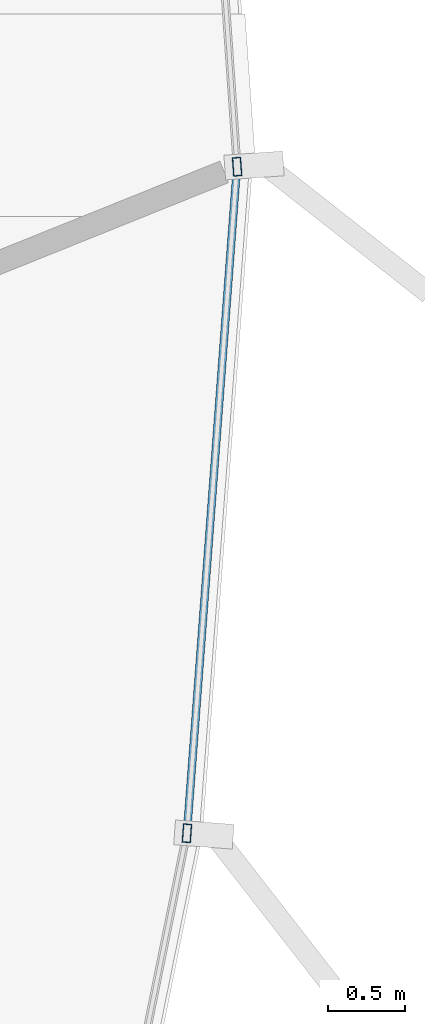
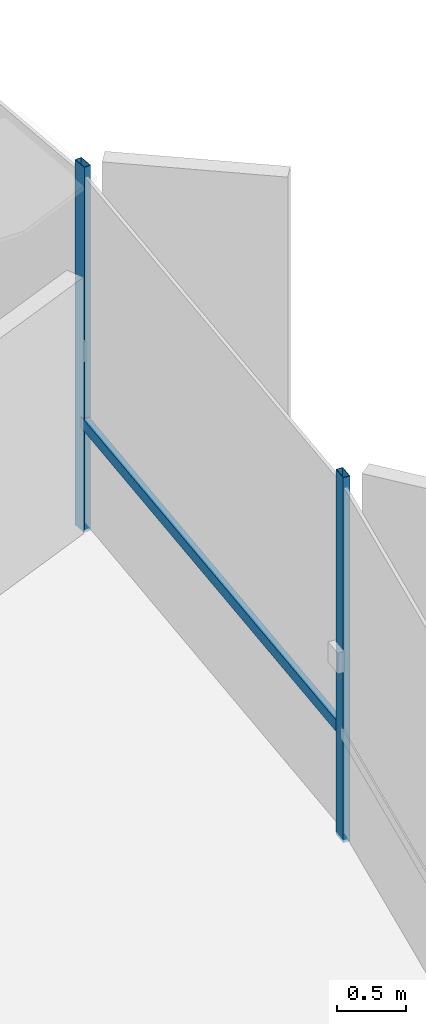
# One storey, part 18 of 35: 3 members, 1 element without a shape of its own.
"""IFC4 building model written with IfcOpenShell, lengths in metres."""

import ifcopenshell
import ifcopenshell.guid

model = None  # the IFC model being written
_history = None  # IfcOwnerHistory: only IFC2X3 demands one
_inside = {}  # id of a spatial element -> (the spatial element, [elements in it])
_under = {}  # id of a project, library or spatial element -> (it, [spatial elements below it])
_declared = {}  # id of a project -> (the project, [libraries it declares])
_typed = {}  # id of a type object -> (the type object, [elements of that type])
_made_of = {}  # id of a material, layer set ... -> (it, [elements and type objects made of it])


def new_model(schema):
    """Start an empty IFC model of exactly this schema.

    Asked for "IFC4X3", IfcOpenShell would pick the latest addendum, in which some entities
    have other attributes; the version numbers below select the first issue.
    IFC2X3 requires an IfcOwnerHistory on every rooted entity: one is made here for all.
    """
    global model, _history
    if schema == "IFC4X3":
        model = ifcopenshell.file(schema_version=(4, 3, 0, 0))
    else:
        model = ifcopenshell.file(schema=schema)
    _inside.clear()
    _under.clear()
    _declared.clear()
    _typed.clear()
    _made_of.clear()
    _history = None
    if model.schema == "IFC2X3":
        org = make("IfcOrganization", Name="unknown")
        user = make(
            "IfcPersonAndOrganization",
            ThePerson=make("IfcPerson", FamilyName="unknown"),
            TheOrganization=org,
        )
        app = make(
            "IfcApplication",
            ApplicationDeveloper=org,
            Version="unknown",
            ApplicationFullName="unknown",
            ApplicationIdentifier="unknown",
        )
        _history = make(
            "IfcOwnerHistory",
            OwningUser=user,
            OwningApplication=app,
            ChangeAction="ADDED",
            CreationDate=0,
        )
    return model


def make(cls, **values):
    """One entity of the class cls with the attributes given. An attribute that is None is left unset."""
    return model.create_entity(
        cls, **{name: value for name, value in values.items() if value is not None}
    )


def rooted(cls, **values):
    """An entity with a GlobalId (a new one), such as an element, a storey or a relation."""
    return make(cls, GlobalId=ifcopenshell.guid.new(), OwnerHistory=_history, **values)


def si_unit(unit_type, name, prefix=None):
    """IfcSIUnit, for example si_unit("LENGTHUNIT", "METRE", prefix="MILLI")."""
    return make("IfcSIUnit", UnitType=unit_type, Prefix=prefix, Name=name)


def assignment(units):
    """IfcUnitAssignment: the units of a project."""
    return None if units is None else make("IfcUnitAssignment", Units=units)


def point(xyz):
    """IfcCartesianPoint."""
    return None if xyz is None else make("IfcCartesianPoint", Coordinates=xyz)


def direction(xyz):
    """IfcDirection."""
    return None if xyz is None else make("IfcDirection", DirectionRatios=xyz)


def frame(location, z_axis=None, x_axis=None):
    """IfcAxis2Placement3D, a coordinate frame: its origin and axes. An axis left out is left unset."""
    return make(
        "IfcAxis2Placement3D",
        Location=point(location),
        Axis=direction(z_axis),
        RefDirection=direction(x_axis),
    )


def frame_2d(location, x_axis=None):
    """IfcAxis2Placement2D, a coordinate frame in the plane: its origin and x axis."""
    return make(
        "IfcAxis2Placement2D", Location=point(location), RefDirection=direction(x_axis)
    )


def origin():
    """The frame at (0, 0, 0) with its axes left unset."""
    return frame((0.0, 0.0, 0.0))


def origin_2d():
    """The frame at (0, 0) in the plane with its x axis left unset."""
    return frame_2d((0.0, 0.0))


def place(relative_to, where):
    """IfcLocalPlacement: puts the frame where relative to a parent placement (None: the world)."""
    return make(
        "IfcLocalPlacement", PlacementRelTo=relative_to, RelativePlacement=where
    )


def context(
    kind, dimensions, precision=None, world=None, true_north=None, identifier=None
):
    """IfcGeometricRepresentationContext, for example the 3D "Model" context."""
    return make(
        "IfcGeometricRepresentationContext",
        ContextIdentifier=identifier,
        ContextType=kind,
        CoordinateSpaceDimension=dimensions,
        Precision=precision,
        WorldCoordinateSystem=world,
        TrueNorth=true_north,
    )


def subcontext(parent, identifier, kind, view, scale=None):
    """IfcGeometricRepresentationSubContext, for example "Body" below "Model"."""
    return make(
        "IfcGeometricRepresentationSubContext",
        ContextIdentifier=identifier,
        ContextType=kind,
        ParentContext=parent,
        TargetScale=scale,
        TargetView=view,
    )


def project(units=None, contexts=None):
    """IfcProject with its units and contexts."""
    return rooted(
        "IfcProject",
        Name="project",
        RepresentationContexts=contexts,
        UnitsInContext=assignment(units),
    )


def spatial(cls, under=None, at=None, **own):
    """A site, building, storey or space (cls), placed at a placement, below another one or the project."""
    s = rooted(cls, ObjectPlacement=at, **own)
    if under is not None:
        _under.setdefault(under.id(), (under, []))[1].append(s)
    return s


def profile(cls, at=None, kind="AREA", **sizes):
    """A parametric profile (cls). Its sizes go by their IFC names, for example OverallWidth=200.0."""
    return make(cls, ProfileType=kind, Position=at, **sizes)


def hollow_rectangle(**sizes):
    """IfcRectangleHollowProfileDef."""
    return profile("IfcRectangleHollowProfileDef", **sizes)


def extrude(swept, where, along, depth):
    """IfcExtrudedAreaSolid: the profile swept, set in the frame where, extruded along a direction by depth."""
    return make(
        "IfcExtrudedAreaSolid",
        SweptArea=swept,
        Position=where,
        ExtrudedDirection=direction(along),
        Depth=depth,
    )


def shape(context_of_items, identifier, shape_type, items):
    """IfcShapeRepresentation: the items that make up one representation, for example the "Body"."""
    return make(
        "IfcShapeRepresentation",
        ContextOfItems=context_of_items,
        RepresentationIdentifier=identifier,
        RepresentationType=shape_type,
        Items=items,
    )


def source(mapping_origin, context_of_items, identifier, shape_type, items):
    """IfcRepresentationMap: a shape defined once, which mapped items show again and again."""
    return make(
        "IfcRepresentationMap",
        MappingOrigin=mapping_origin,
        MappedRepresentation=shape(context_of_items, identifier, shape_type, items),
    )


def transform(
    local_origin,
    x_axis=None,
    y_axis=None,
    z_axis=None,
    scale=None,
    scale2=None,
    scale3=None,
    uniform=True,
):
    """IfcCartesianTransformationOperator3D, or its non-uniform kind. x_axis, y_axis, z_axis: its Axis1, 2, 3."""
    if uniform:
        return make(
            "IfcCartesianTransformationOperator3D",
            Axis1=direction(x_axis),
            Axis2=direction(y_axis),
            LocalOrigin=point(local_origin),
            Scale=scale,
            Axis3=direction(z_axis),
        )
    return make(
        "IfcCartesianTransformationOperator3DnonUniform",
        Axis1=direction(x_axis),
        Axis2=direction(y_axis),
        LocalOrigin=point(local_origin),
        Scale=scale,
        Axis3=direction(z_axis),
        Scale2=scale2,
        Scale3=scale3,
    )


def mapped(mapping_source, mapping_target):
    """IfcMappedItem: shows the shape of a source again, moved by a transform."""
    return make(
        "IfcMappedItem", MappingSource=mapping_source, MappingTarget=mapping_target
    )


def material(Name=None, Category=None):
    """IfcMaterial."""
    return make("IfcMaterial", Name=Name, Category=Category)


def layer(
    of_material, thickness, ventilated=None, Name=None, Category=None, Priority=None
):
    """IfcMaterialLayer: one layer of a wall or slab, of a material (None: an air gap)."""
    return make(
        "IfcMaterialLayer",
        Material=of_material,
        LayerThickness=thickness,
        IsVentilated=ventilated,
        Name=Name,
        Category=Category,
        Priority=Priority,
    )


def layer_set(layers, Name=None):
    """IfcMaterialLayerSet."""
    return make("IfcMaterialLayerSet", MaterialLayers=layers, LayerSetName=Name)


def material_profile(
    of_material, cross_section, Name=None, Category=None, Priority=None
):
    """IfcMaterialProfile: a cross section and its material."""
    return make(
        "IfcMaterialProfile",
        Name=Name,
        Material=of_material,
        Profile=cross_section,
        Priority=Priority,
        Category=Category,
    )


def profile_set(profiles, Name=None, composite=None):
    """IfcMaterialProfileSet."""
    return make(
        "IfcMaterialProfileSet",
        Name=Name,
        MaterialProfiles=profiles,
        CompositeProfile=composite,
    )


def made_of(thing, what):
    """Note that an element or type object is made of a material, layer set ...; save() writes the relation."""
    if what is not None:
        _made_of.setdefault(what.id(), (what, []))[1].append(thing)
    return thing


def type_object(cls, material=None, **own):
    """A type object (cls), such as IfcWallType, which elements share."""
    return made_of(rooted(cls, **own), material)


def element(
    cls,
    number,
    at=None,
    inside=None,
    cuts=None,
    type_object=None,
    material=None,
    context=None,
    identifier="Body",
    shape_type=None,
    held_by="IfcProductDefinitionShape",
    body=None,
    shapes=None,
    **own,
):
    """One element of the class cls, such as IfcWall. Its Tag is "e" and its number.

    at: its placement. inside: the storey or other place that contains it. cuts: it is an
    opening in that element (IfcRelVoidsElement). A single representation is given by context,
    identifier, shape_type and body (its items); several are given by shapes. held_by: the class
    of the entity that holds the representations. save() writes the other relations.
    """
    e = rooted(cls, Tag="e%d" % number, ObjectPlacement=at, **own)
    if body is not None:
        shapes = [shape(context, identifier, shape_type, body)]
    if shapes is not None:
        e.Representation = make(held_by, Representations=shapes)
    if inside is not None:
        _inside.setdefault(inside.id(), (inside, []))[1].append(e)
    if cuts is not None:
        rooted(
            "IfcRelVoidsElement", RelatingBuildingElement=cuts, RelatedOpeningElement=e
        )
    if type_object is not None:
        _typed.setdefault(type_object.id(), (type_object, []))[1].append(e)
    return made_of(e, material)


def aggregate(whole, parts):
    """IfcRelAggregates: a whole, such as a stair, and the parts it consists of."""
    return rooted("IfcRelAggregates", RelatingObject=whole, RelatedObjects=parts)


def save(model, path):
    """Write the relations noted so far, then the file.

    IfcRelAggregates (storeys below a building ...), IfcRelContainedInSpatialStructure (elements
    in a storey), IfcRelDefinesByType, IfcRelAssociatesMaterial and IfcRelDeclares: one each for
    every whole, place, type object, material and project.
    """
    for whole, parts in _under.values():
        aggregate(whole, parts)
    for where, things in _inside.values():
        rooted(
            "IfcRelContainedInSpatialStructure",
            RelatedElements=things,
            RelatingStructure=where,
        )
    for kind, things in _typed.values():
        rooted("IfcRelDefinesByType", RelatedObjects=things, RelatingType=kind)
    for what, things in _made_of.values():
        rooted("IfcRelAssociatesMaterial", RelatedObjects=things, RelatingMaterial=what)
    for by, libraries in _declared.values():
        rooted("IfcRelDeclares", RelatingContext=by, RelatedDefinitions=libraries)
    model.write(path)


model = new_model("IFC4")

# Units and contexts
model_context = context("Model", 3, precision=1e-05, world=origin(), true_north=direction((0.0, 1.0)))
body_context = subcontext(model_context, "Body", "Model", "MODEL_VIEW")
ifc_project = project(units=[si_unit("LENGTHUNIT", "METRE"), si_unit("AREAUNIT", "SQUARE_METRE"), si_unit("VOLUMEUNIT", "CUBIC_METRE"), si_unit("PLANEANGLEUNIT", "RADIAN"), si_unit("MASSUNIT", "GRAM", prefix="KILO"), si_unit("THERMODYNAMICTEMPERATUREUNIT", "KELVIN")], contexts=[model_context])

# Site, building, storey
site_placement = place(None, origin())
site = spatial("IfcSite", under=ifc_project, at=site_placement, CompositionType="ELEMENT")
building_placement = place(site_placement, origin())
building = spatial("IfcBuilding", under=site, at=building_placement, Name="Kethvar Cultural Tower", CompositionType="ELEMENT")
storey_placement = place(building_placement, frame((0.0, 0.0, 249.10009765625)))
storey = spatial("IfcBuildingStorey", under=building, at=storey_placement, Name="L65", CompositionType="ELEMENT", Elevation=249.10009765625)

# Curtain wall, members
ifc_material = material(Name="Aluminium 6063-T6", Category="aluminium")
ifc_layer = layer(ifc_material, 0.179931640625, Name="Aluminium 6063-T6", Category="aluminium")
ifc_layer_set = layer_set([ifc_layer], Name="Aluminium 6063-T6 (180 mm)")
curtain_wall_type = type_object("IfcCurtainWallType", Name="CW-SYS-05-Z56", PredefinedType="NOTDEFINED", material=ifc_layer_set)
curtain_wall_placement = place(storey_placement, origin())
curtain_wall = element("IfcCurtainWall", 1, at=curtain_wall_placement, inside=storey, type_object=curtain_wall_type, Name="L65 Curtain Wall Run 06", PredefinedType="NOTDEFINED")
ifc_material_profile_1 = material_profile(ifc_material, hollow_rectangle(XDim=0.054931640625, YDim=0.1201171875, WallThickness=0.00390625, at=origin_2d()), Name="Aluminium 6063-T6 — RHS120x55x4")
ifc_profile_set_1 = profile_set([ifc_material_profile_1], Name="Aluminium 6063-T6 — RHS120x55x4")
member_type_1 = type_object("IfcMemberType", Name="CW-SYS-05-Z56-MUL", PredefinedType="MULLION", material=ifc_profile_set_1)
shared_shape_1 = source(origin(), body_context, "Body", "SweptSolid", [
    extrude(hollow_rectangle(XDim=0.054931640625, YDim=0.1201171875, WallThickness=0.00390625, at=origin_2d()), origin(), (0.0, 0.0, 1.0), 3.2099609375),
])
member_1_placement = place(storey_placement, frame((68.115966796875, 32.14111328125, 0.0), z_axis=(0.0, 0.0, 1.0), x_axis=(-0.997196898854, 0.074822088427, 0.0)))
member_1 = element("IfcMember", 2, at=member_1_placement, type_object=member_type_1, Name="CW-L65-R06 Mullion 2", PredefinedType="MULLION", context=body_context, shape_type="MappedRepresentation", body=[
    mapped(shared_shape_1, transform((0.0, 0.0, 0.0), scale=1.0)),
])
member_2_placement = place(storey_placement, frame((68.4404296875, 36.45068359375, 0.0), z_axis=(0.0, 0.0, 1.0), x_axis=(-0.997544531682, -0.070035043455, 0.0)))
member_2 = element("IfcMember", 3, at=member_2_placement, type_object=member_type_1, Name="CW-L65-R06 Mullion 3", PredefinedType="MULLION", context=body_context, shape_type="MappedRepresentation", body=[
    mapped(shared_shape_1, transform((0.0, 0.0, 0.0), scale=1.0)),
])
ifc_material_profile_2 = material_profile(ifc_material, hollow_rectangle(XDim=0.050048828125, YDim=0.10009765625, WallThickness=0.00390625, at=origin_2d()), Name="Aluminium 6063-T6 — RHS100x50x4")
ifc_profile_set_2 = profile_set([ifc_material_profile_2], Name="Aluminium 6063-T6 — RHS100x50x4")
member_type_2 = type_object("IfcMemberType", Name="CW-SYS-05-Z56-TRN", PredefinedType="USERDEFINED", material=ifc_profile_set_2)
shared_shape_2 = source(origin(), body_context, "Body", "SweptSolid", [
    extrude(hollow_rectangle(XDim=0.050048828125, YDim=0.10009765625, WallThickness=0.00390625, at=origin_2d()), origin(), (0.0, 0.0, 1.0), 4.25732421875),
])
member_3_placement = place(storey_placement, frame((68.118896484375, 32.180419921875, 0.949951171875), z_axis=(0.074836994268, 0.99719578032, 0.0), x_axis=(-0.99719578032, 0.074836994268, 0.0)))
member_3 = element("IfcMember", 4, at=member_3_placement, type_object=member_type_2, Name="CW-L65-R06 Transom 2", ObjectType="TRANSOM", PredefinedType="USERDEFINED", context=body_context, shape_type="MappedRepresentation", body=[
    mapped(shared_shape_2, transform((0.0, 0.0, 0.0), scale=1.0)),
])
aggregate(curtain_wall, [member_1, member_2, member_3])

save(model, "model.ifc")
